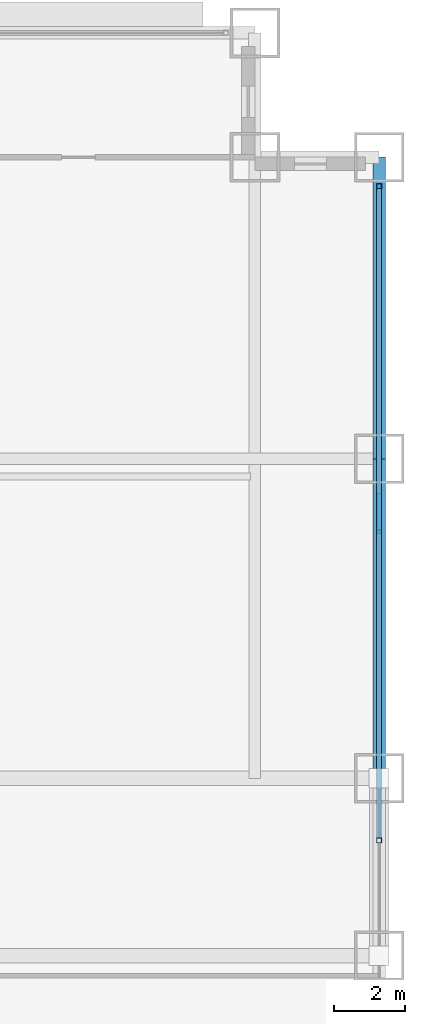
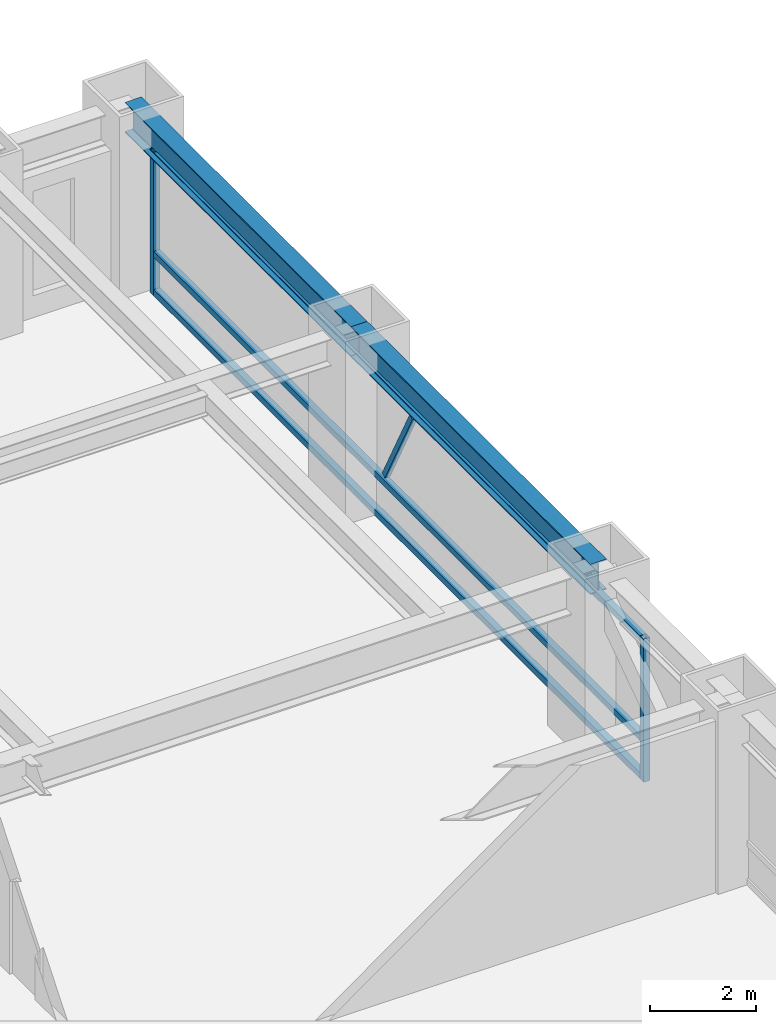
# One storey, part 18 of 31: 6 members, 2 beams, 1 element without a shape of its own.
"""IFC4 building model written with IfcOpenShell, lengths in metres."""

from ifc_helpers import new_model, si_unit, direction, frame, origin, origin_2d, place, context, subcontext, project, spatial, hollow_rectangle, i_section, extrude, source, transform, mapped, material, material_profile, profile_set, type_object, element, aggregate, save


model = new_model("IFC4")

# Units and contexts
model_context = context("Model", 3, precision=1e-05, world=origin(), true_north=direction((0.0, 1.0)))
body_context = subcontext(model_context, "Body", "Model", "MODEL_VIEW")
ifc_project = project(units=[si_unit("LENGTHUNIT", "METRE"), si_unit("AREAUNIT", "SQUARE_METRE"), si_unit("VOLUMEUNIT", "CUBIC_METRE"), si_unit("PLANEANGLEUNIT", "RADIAN"), si_unit("MASSUNIT", "GRAM", prefix="KILO")], contexts=[model_context])

# Site, building, storey
site_placement = place(None, origin())
site = spatial("IfcSite", under=ifc_project, at=site_placement, CompositionType="ELEMENT")
building_placement = place(site_placement, origin())
building = spatial("IfcBuilding", under=site, at=building_placement, Name="Khorayat Bourse Tower", CompositionType="ELEMENT")
storey_placement = place(building_placement, frame((0.0, 0.0, 41.0)))
storey = spatial("IfcBuildingStorey", under=building, at=storey_placement, Name="L08", CompositionType="ELEMENT", Elevation=41.0)

# Beams
ifc_material_1 = material(Name="Steel ASTM A992 Grade 50", Category="steel")
ifc_material_profile_1 = material_profile(ifc_material_1, i_section(OverallWidth=0.35498046875, OverallDepth=0.695068359375, WebThickness=0.015380859375, FlangeThickness=0.02490234375, FilletRadius=0.01806640625, at=origin_2d()), Name="W690X217")
ifc_profile_set_1 = profile_set([ifc_material_profile_1], Name="Steel ASTM A992 Grade 50")
beam_type = type_object("IfcBeamType", Name="BM-SPAN-690", PredefinedType="SPANDREL", material=ifc_profile_set_1)
shared_shape_1 = source(origin(), body_context, "Body", "SweptSolid", [
    extrude(i_section(OverallWidth=0.35498046875, OverallDepth=0.695068359375, WebThickness=0.015380859375, FlangeThickness=0.02490234375, FilletRadius=0.01806640625, at=origin_2d()), origin(), (0.0, 0.0, 1.0), 8.5),
])
beam_1_placement = place(storey_placement, frame((32.0, 20.0, 3.592529296875), z_axis=(0.0, 1.0, 0.0), x_axis=(-1.0, 0.0, 0.0)))
element("IfcBeam", 1, at=beam_1_placement, inside=storey, type_object=beam_type, Name="L08 BM-SPAN-690 BM-L08-SPN-041", PredefinedType="SPANDREL", context=body_context, shape_type="MappedRepresentation", body=[
    mapped(shared_shape_1, transform((0.0, 0.0, 0.0), scale=1.0)),
])
shared_shape_2 = source(origin(), body_context, "Body", "SweptSolid", [
    extrude(i_section(OverallWidth=0.35498046875, OverallDepth=0.695068359375, WebThickness=0.015380859375, FlangeThickness=0.02490234375, FilletRadius=0.01806640625, at=origin_2d()), origin(), (0.0, 0.0, 1.0), 9.0),
])
beam_2_placement = place(storey_placement, frame((32.0, 11.0, 3.592529296875), z_axis=(0.0, 1.0, 0.0), x_axis=(-1.0, 0.0, 0.0)))
element("IfcBeam", 2, at=beam_2_placement, inside=storey, type_object=beam_type, Name="L08 BM-SPAN-690 BM-L08-SPN-040", PredefinedType="SPANDREL", context=body_context, shape_type="MappedRepresentation", body=[
    mapped(shared_shape_2, transform((0.0, 0.0, 0.0), scale=1.0)),
])

# Curtain wall, members
ifc_material_2 = material(Name="Aluminium EN AW-6063 T6", Category="aluminium")
curtain_wall_type = type_object("IfcCurtainWallType", Name="CW-SYS-02", PredefinedType="NOTDEFINED", material=ifc_material_2)
curtain_wall_placement = place(storey_placement, origin())
curtain_wall = element("IfcCurtainWall", 3, at=curtain_wall_placement, inside=storey, type_object=curtain_wall_type, Name="L08 Curtain Wall CW-L08-E1", PredefinedType="NOTDEFINED")
ifc_material_profile_2 = material_profile(ifc_material_2, hollow_rectangle(XDim=0.139892578125, YDim=0.139892578125, WallThickness=0.006103515625, at=origin_2d()), Name="ALU 140x140x6")
ifc_profile_set_2 = profile_set([ifc_material_profile_2], Name="Aluminium EN AW-6063 T6")
member_type_1 = type_object("IfcMemberType", Name="CWT-HORZ-140", PredefinedType="USERDEFINED", material=ifc_profile_set_2)
shared_shape_3 = source(origin(), body_context, "Body", "SweptSolid", [
    extrude(hollow_rectangle(XDim=0.139892578125, YDim=0.139892578125, WallThickness=0.006103515625, at=origin_2d()), origin(), (0.0, 0.0, 1.0), 18.2900390625),
])
member_1_placement = place(storey_placement, frame((32.0, 9.320068359375, 0.070068359375), z_axis=(0.0, 1.0, 0.0), x_axis=(-1.0, 0.0, 0.0)))
member_1 = element("IfcMember", 4, at=member_1_placement, type_object=member_type_1, Name="CW-L08-E1 Horizontal Transom 3-1", ObjectType="TRANSOM", PredefinedType="USERDEFINED", context=body_context, shape_type="MappedRepresentation", body=[
    mapped(shared_shape_3, transform((0.0, 0.0, 0.0), scale=1.0)),
])
member_2_placement = place(storey_placement, frame((32.0, 9.320068359375, 0.949951171875), z_axis=(0.0, 1.0, 0.0), x_axis=(-1.0, 0.0, 0.0)))
member_2 = element("IfcMember", 5, at=member_2_placement, type_object=member_type_1, Name="CW-L08-E1 Horizontal Transom 3-2", ObjectType="TRANSOM", PredefinedType="USERDEFINED", context=body_context, shape_type="MappedRepresentation", body=[
    mapped(shared_shape_3, transform((0.0, 0.0, 0.0), scale=1.0)),
])
member_3_placement = place(storey_placement, frame((32.0, 9.320068359375, 3.219970703125), z_axis=(0.0, 1.0, 0.0), x_axis=(-1.0, 0.0, 0.0)))
member_3 = element("IfcMember", 6, at=member_3_placement, type_object=member_type_1, Name="CW-L08-E1 Horizontal Transom 3-3", ObjectType="TRANSOM", PredefinedType="USERDEFINED", context=body_context, shape_type="MappedRepresentation", body=[
    mapped(shared_shape_3, transform((0.0, 0.0, 0.0), scale=1.0)),
])
ifc_material_profile_3 = material_profile(ifc_material_2, hollow_rectangle(XDim=0.1201171875, YDim=0.1201171875, WallThickness=0.0048828125, at=origin_2d()), Name="ALU 120x120x5")
ifc_profile_set_3 = profile_set([ifc_material_profile_3], Name="Aluminium EN AW-6063 T6")
member_type_2 = type_object("IfcMemberType", Name="CWM-DIAG-120", PredefinedType="MULLION", material=ifc_profile_set_3)
shared_shape_4 = source(origin(), body_context, "Body", "SweptSolid", [
    extrude(hollow_rectangle(XDim=0.1201171875, YDim=0.1201171875, WallThickness=0.0048828125, at=origin_2d()), origin(), (0.0, 0.0, 1.0), 2.22607421875),
])
member_4_placement = place(storey_placement, frame((32.0, 18.9833984375, 1.10009765625), z_axis=(0.0, -0.465759992596, 0.884911085532), x_axis=(1.0, 0.0, 0.0)))
member_4 = element("IfcMember", 7, at=member_4_placement, type_object=member_type_2, Name="CW-L08-E1 Faceted Diagonal Mullion 3", PredefinedType="MULLION", context=body_context, shape_type="MappedRepresentation", body=[
    mapped(shared_shape_4, transform((0.0, 0.0, 0.0), scale=1.0)),
])
ifc_material_profile_4 = material_profile(ifc_material_2, hollow_rectangle(XDim=0.139892578125, YDim=0.139892578125, WallThickness=0.006103515625, at=origin_2d()), Name="ALU 140x140x6")
ifc_profile_set_4 = profile_set([ifc_material_profile_4], Name="Aluminium EN AW-6063 T6")
member_type_3 = type_object("IfcMemberType", Name="CWM-VERT-140", PredefinedType="MULLION", material=ifc_profile_set_4)
shared_shape_5 = source(origin(), body_context, "Body", "SweptSolid", [
    extrude(hollow_rectangle(XDim=0.139892578125, YDim=0.139892578125, WallThickness=0.006103515625, at=origin_2d()), origin(), (0.0, 0.0, 1.0), 3.2900390625),
])
member_5_placement = place(storey_placement, frame((32.0, 9.25, 0.0), z_axis=(0.0, 0.0, 1.0), x_axis=(-1.0, 0.0, 0.0)))
member_5 = element("IfcMember", 8, at=member_5_placement, type_object=member_type_3, Name="CW-L08-E1 Vertical Mullion 3", PredefinedType="MULLION", context=body_context, shape_type="MappedRepresentation", body=[
    mapped(shared_shape_5, transform((0.0, 0.0, 0.0), scale=1.0)),
])
member_6_placement = place(storey_placement, frame((32.0, 27.679931640625, 0.0), z_axis=(0.0, 0.0, 1.0), x_axis=(-1.0, 0.0, 0.0)))
member_6 = element("IfcMember", 9, at=member_6_placement, type_object=member_type_3, Name="CW-L08-E1 Vertical Mullion 4", PredefinedType="MULLION", context=body_context, shape_type="MappedRepresentation", body=[
    mapped(shared_shape_5, transform((0.0, 0.0, 0.0), scale=1.0)),
])
aggregate(curtain_wall, [member_5, member_6, member_1, member_2, member_3, member_4])

save(model, "model.ifc")
